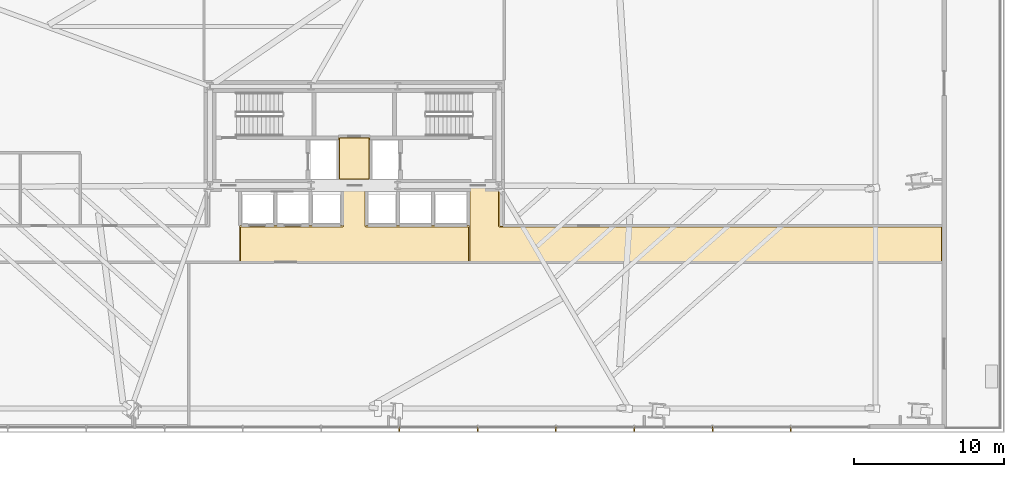
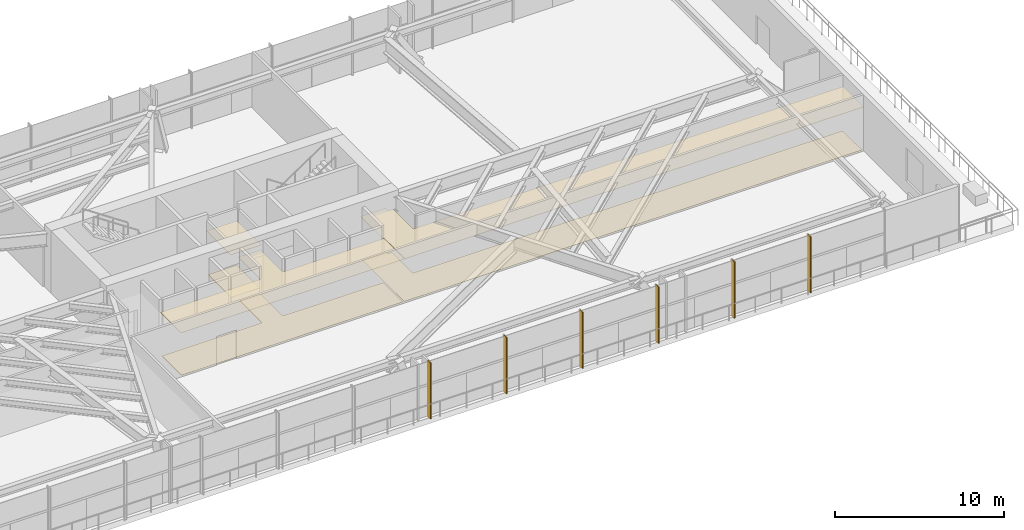
# One storey, part 29 of 33: 6 coverings, 6 shading devices.
"""IFC4 building model written with IfcOpenShell, lengths in metres."""

import ifcopenshell
import ifcopenshell.guid

model = None  # the IFC model being written
_history = None  # IfcOwnerHistory: only IFC2X3 demands one
_inside = {}  # id of a spatial element -> (the spatial element, [elements in it])
_under = {}  # id of a project, library or spatial element -> (it, [spatial elements below it])
_declared = {}  # id of a project -> (the project, [libraries it declares])
_typed = {}  # id of a type object -> (the type object, [elements of that type])
_made_of = {}  # id of a material, layer set ... -> (it, [elements and type objects made of it])


def new_model(schema):
    """Start an empty IFC model of exactly this schema.

    Asked for "IFC4X3", IfcOpenShell would pick the latest addendum, in which some entities
    have other attributes; the version numbers below select the first issue.
    IFC2X3 requires an IfcOwnerHistory on every rooted entity: one is made here for all.
    """
    global model, _history
    if schema == "IFC4X3":
        model = ifcopenshell.file(schema_version=(4, 3, 0, 0))
    else:
        model = ifcopenshell.file(schema=schema)
    _inside.clear()
    _under.clear()
    _declared.clear()
    _typed.clear()
    _made_of.clear()
    _history = None
    if model.schema == "IFC2X3":
        org = make("IfcOrganization", Name="unknown")
        user = make(
            "IfcPersonAndOrganization",
            ThePerson=make("IfcPerson", FamilyName="unknown"),
            TheOrganization=org,
        )
        app = make(
            "IfcApplication",
            ApplicationDeveloper=org,
            Version="unknown",
            ApplicationFullName="unknown",
            ApplicationIdentifier="unknown",
        )
        _history = make(
            "IfcOwnerHistory",
            OwningUser=user,
            OwningApplication=app,
            ChangeAction="ADDED",
            CreationDate=0,
        )
    return model


def make(cls, **values):
    """One entity of the class cls with the attributes given. An attribute that is None is left unset."""
    return model.create_entity(
        cls, **{name: value for name, value in values.items() if value is not None}
    )


def rooted(cls, **values):
    """An entity with a GlobalId (a new one), such as an element, a storey or a relation."""
    return make(cls, GlobalId=ifcopenshell.guid.new(), OwnerHistory=_history, **values)


def si_unit(unit_type, name, prefix=None):
    """IfcSIUnit, for example si_unit("LENGTHUNIT", "METRE", prefix="MILLI")."""
    return make("IfcSIUnit", UnitType=unit_type, Prefix=prefix, Name=name)


def assignment(units):
    """IfcUnitAssignment: the units of a project."""
    return None if units is None else make("IfcUnitAssignment", Units=units)


def point(xyz):
    """IfcCartesianPoint."""
    return None if xyz is None else make("IfcCartesianPoint", Coordinates=xyz)


def direction(xyz):
    """IfcDirection."""
    return None if xyz is None else make("IfcDirection", DirectionRatios=xyz)


def frame(location, z_axis=None, x_axis=None):
    """IfcAxis2Placement3D, a coordinate frame: its origin and axes. An axis left out is left unset."""
    return make(
        "IfcAxis2Placement3D",
        Location=point(location),
        Axis=direction(z_axis),
        RefDirection=direction(x_axis),
    )


def frame_2d(location, x_axis=None):
    """IfcAxis2Placement2D, a coordinate frame in the plane: its origin and x axis."""
    return make(
        "IfcAxis2Placement2D", Location=point(location), RefDirection=direction(x_axis)
    )


def origin():
    """The frame at (0, 0, 0) with its axes left unset."""
    return frame((0.0, 0.0, 0.0))


def origin_2d():
    """The frame at (0, 0) in the plane with its x axis left unset."""
    return frame_2d((0.0, 0.0))


def place(relative_to, where):
    """IfcLocalPlacement: puts the frame where relative to a parent placement (None: the world)."""
    return make(
        "IfcLocalPlacement", PlacementRelTo=relative_to, RelativePlacement=where
    )


def context(
    kind, dimensions, precision=None, world=None, true_north=None, identifier=None
):
    """IfcGeometricRepresentationContext, for example the 3D "Model" context."""
    return make(
        "IfcGeometricRepresentationContext",
        ContextIdentifier=identifier,
        ContextType=kind,
        CoordinateSpaceDimension=dimensions,
        Precision=precision,
        WorldCoordinateSystem=world,
        TrueNorth=true_north,
    )


def subcontext(parent, identifier, kind, view, scale=None):
    """IfcGeometricRepresentationSubContext, for example "Body" below "Model"."""
    return make(
        "IfcGeometricRepresentationSubContext",
        ContextIdentifier=identifier,
        ContextType=kind,
        ParentContext=parent,
        TargetScale=scale,
        TargetView=view,
    )


def project(units=None, contexts=None):
    """IfcProject with its units and contexts."""
    return rooted(
        "IfcProject",
        Name="project",
        RepresentationContexts=contexts,
        UnitsInContext=assignment(units),
    )


def spatial(cls, under=None, at=None, **own):
    """A site, building, storey or space (cls), placed at a placement, below another one or the project."""
    s = rooted(cls, ObjectPlacement=at, **own)
    if under is not None:
        _under.setdefault(under.id(), (under, []))[1].append(s)
    return s


def polyline(points):
    """IfcPolyline through the points."""
    return make("IfcPolyline", Points=[point(p) for p in points])


def profile(cls, at=None, kind="AREA", **sizes):
    """A parametric profile (cls). Its sizes go by their IFC names, for example OverallWidth=200.0."""
    return make(cls, ProfileType=kind, Position=at, **sizes)


def rectangle(**sizes):
    """IfcRectangleProfileDef."""
    return profile("IfcRectangleProfileDef", **sizes)


def outline(outer, holes=None, kind="AREA"):
    """IfcArbitraryClosedProfileDef: a profile drawn as a closed curve; with holes, ...WithVoids."""
    if holes is None:
        return make("IfcArbitraryClosedProfileDef", ProfileType=kind, OuterCurve=outer)
    return make(
        "IfcArbitraryProfileDefWithVoids",
        ProfileType=kind,
        OuterCurve=outer,
        InnerCurves=holes,
    )


def extrude(swept, where, along, depth):
    """IfcExtrudedAreaSolid: the profile swept, set in the frame where, extruded along a direction by depth."""
    return make(
        "IfcExtrudedAreaSolid",
        SweptArea=swept,
        Position=where,
        ExtrudedDirection=direction(along),
        Depth=depth,
    )


def shape(context_of_items, identifier, shape_type, items):
    """IfcShapeRepresentation: the items that make up one representation, for example the "Body"."""
    return make(
        "IfcShapeRepresentation",
        ContextOfItems=context_of_items,
        RepresentationIdentifier=identifier,
        RepresentationType=shape_type,
        Items=items,
    )


def source(mapping_origin, context_of_items, identifier, shape_type, items):
    """IfcRepresentationMap: a shape defined once, which mapped items show again and again."""
    return make(
        "IfcRepresentationMap",
        MappingOrigin=mapping_origin,
        MappedRepresentation=shape(context_of_items, identifier, shape_type, items),
    )


def transform(
    local_origin,
    x_axis=None,
    y_axis=None,
    z_axis=None,
    scale=None,
    scale2=None,
    scale3=None,
    uniform=True,
):
    """IfcCartesianTransformationOperator3D, or its non-uniform kind. x_axis, y_axis, z_axis: its Axis1, 2, 3."""
    if uniform:
        return make(
            "IfcCartesianTransformationOperator3D",
            Axis1=direction(x_axis),
            Axis2=direction(y_axis),
            LocalOrigin=point(local_origin),
            Scale=scale,
            Axis3=direction(z_axis),
        )
    return make(
        "IfcCartesianTransformationOperator3DnonUniform",
        Axis1=direction(x_axis),
        Axis2=direction(y_axis),
        LocalOrigin=point(local_origin),
        Scale=scale,
        Axis3=direction(z_axis),
        Scale2=scale2,
        Scale3=scale3,
    )


def mapped(mapping_source, mapping_target):
    """IfcMappedItem: shows the shape of a source again, moved by a transform."""
    return make(
        "IfcMappedItem", MappingSource=mapping_source, MappingTarget=mapping_target
    )


def material(Name=None, Category=None):
    """IfcMaterial."""
    return make("IfcMaterial", Name=Name, Category=Category)


def layer(
    of_material, thickness, ventilated=None, Name=None, Category=None, Priority=None
):
    """IfcMaterialLayer: one layer of a wall or slab, of a material (None: an air gap)."""
    return make(
        "IfcMaterialLayer",
        Material=of_material,
        LayerThickness=thickness,
        IsVentilated=ventilated,
        Name=Name,
        Category=Category,
        Priority=Priority,
    )


def layer_set(layers, Name=None):
    """IfcMaterialLayerSet."""
    return make("IfcMaterialLayerSet", MaterialLayers=layers, LayerSetName=Name)


def made_of(thing, what):
    """Note that an element or type object is made of a material, layer set ...; save() writes the relation."""
    if what is not None:
        _made_of.setdefault(what.id(), (what, []))[1].append(thing)
    return thing


def type_object(cls, material=None, **own):
    """A type object (cls), such as IfcWallType, which elements share."""
    return made_of(rooted(cls, **own), material)


def type_shapes(of_type, sources):
    """Give a type object the sources (RepresentationMaps) that its elements show as mapped items."""
    of_type.RepresentationMaps = sources


def element(
    cls,
    number,
    at=None,
    inside=None,
    cuts=None,
    type_object=None,
    material=None,
    context=None,
    identifier="Body",
    shape_type=None,
    held_by="IfcProductDefinitionShape",
    body=None,
    shapes=None,
    **own,
):
    """One element of the class cls, such as IfcWall. Its Tag is "e" and its number.

    at: its placement. inside: the storey or other place that contains it. cuts: it is an
    opening in that element (IfcRelVoidsElement). A single representation is given by context,
    identifier, shape_type and body (its items); several are given by shapes. held_by: the class
    of the entity that holds the representations. save() writes the other relations.
    """
    e = rooted(cls, Tag="e%d" % number, ObjectPlacement=at, **own)
    if body is not None:
        shapes = [shape(context, identifier, shape_type, body)]
    if shapes is not None:
        e.Representation = make(held_by, Representations=shapes)
    if inside is not None:
        _inside.setdefault(inside.id(), (inside, []))[1].append(e)
    if cuts is not None:
        rooted(
            "IfcRelVoidsElement", RelatingBuildingElement=cuts, RelatedOpeningElement=e
        )
    if type_object is not None:
        _typed.setdefault(type_object.id(), (type_object, []))[1].append(e)
    return made_of(e, material)


def aggregate(whole, parts):
    """IfcRelAggregates: a whole, such as a stair, and the parts it consists of."""
    return rooted("IfcRelAggregates", RelatingObject=whole, RelatedObjects=parts)


def save(model, path):
    """Write the relations noted so far, then the file.

    IfcRelAggregates (storeys below a building ...), IfcRelContainedInSpatialStructure (elements
    in a storey), IfcRelDefinesByType, IfcRelAssociatesMaterial and IfcRelDeclares: one each for
    every whole, place, type object, material and project.
    """
    for whole, parts in _under.values():
        aggregate(whole, parts)
    for where, things in _inside.values():
        rooted(
            "IfcRelContainedInSpatialStructure",
            RelatedElements=things,
            RelatingStructure=where,
        )
    for kind, things in _typed.values():
        rooted("IfcRelDefinesByType", RelatedObjects=things, RelatingType=kind)
    for what, things in _made_of.values():
        rooted("IfcRelAssociatesMaterial", RelatedObjects=things, RelatingMaterial=what)
    for by, libraries in _declared.values():
        rooted("IfcRelDeclares", RelatingContext=by, RelatedDefinitions=libraries)
    model.write(path)


model = new_model("IFC4")

# Units and contexts
model_context = context("Model", 3, precision=1e-05, world=origin(), true_north=direction((0.0, 1.0)))
body_context = subcontext(model_context, "Body", "Model", "MODEL_VIEW")
ifc_project = project(units=[si_unit("LENGTHUNIT", "METRE"), si_unit("AREAUNIT", "SQUARE_METRE"), si_unit("VOLUMEUNIT", "CUBIC_METRE"), si_unit("PLANEANGLEUNIT", "RADIAN"), si_unit("MASSUNIT", "GRAM", prefix="KILO")], contexts=[model_context])

# Site, building, storey
site_placement = place(None, origin())
site = spatial("IfcSite", under=ifc_project, at=site_placement, CompositionType="ELEMENT")
building_placement = place(site_placement, origin())
building = spatial("IfcBuilding", under=site, at=building_placement, Name="Astriad Promenade Condominiums", CompositionType="ELEMENT")
storey_placement = place(building_placement, frame((0.0, 0.0, 9.5)))
storey = spatial("IfcBuildingStorey", under=building, at=storey_placement, Name="L02", CompositionType="ELEMENT", Elevation=9.5)

# Coverings
ifc_material_1 = material(Name="Mineral-Fibre Acoustic Ceiling Tile")
ifc_layer_1 = layer(ifc_material_1, 0.02490234375)
ifc_layer_set_1 = layer_set([ifc_layer_1], Name="Mineral-Fibre Acoustic Ceiling Tile")
covering_type_1 = type_object("IfcCoveringType", Name="COV-CEIL-ACOUSTIC-25", PredefinedType="CEILING", material=ifc_layer_set_1)
covering_1_placement = place(storey_placement, frame((0.0, 0.0, 3.135009765625)))
element("IfcCovering", 1, at=covering_1_placement, inside=storey, type_object=covering_type_1, Name="CEIL-L02-CSL", PredefinedType="CEILING", context=body_context, shape_type="SweptSolid", body=[
    extrude(outline(polyline([(34.97998046875, 17.77001953125), (34.97705078125, 17.77001953125), (34.97412109375, 17.7705078125), (34.97119140625, 17.771240234375), (34.968505859375, 17.772216796875), (34.9658203125, 17.7734375), (34.96337890625, 17.775146484375), (34.9609375, 17.77685546875), (34.958740234375, 17.77880859375), (34.956787109375, 17.781005859375), (34.955078125, 17.783203125), (34.95361328125, 17.785888671875), (34.952392578125, 17.78857421875), (34.951416015625, 17.791259765625), (34.95068359375, 17.794189453125), (34.9501953125, 17.797119140625), (34.949951171875, 17.800048828125), (34.949951171875, 20.6201171875), (34.9501953125, 20.622802734375), (34.95068359375, 20.6259765625), (34.951416015625, 20.628662109375), (34.952392578125, 20.631591796875), (34.95361328125, 20.634033203125), (34.955078125, 20.63671875), (34.956787109375, 20.638916015625), (34.958740234375, 20.64111328125), (34.9609375, 20.643310546875), (34.96337890625, 20.64501953125), (34.9658203125, 20.646484375), (34.968505859375, 20.647705078125), (34.97119140625, 20.648681640625), (34.97412109375, 20.6494140625), (34.97705078125, 20.64990234375), (34.97998046875, 20.64990234375), (37.02001953125, 20.64990234375), (37.02294921875, 20.64990234375), (37.02587890625, 20.6494140625), (37.02880859375, 20.648681640625), (37.031494140625, 20.647705078125), (37.0341796875, 20.646484375), (37.03662109375, 20.64501953125), (37.0390625, 20.643310546875), (37.041259765625, 20.64111328125), (37.043212890625, 20.638916015625), (37.044921875, 20.63671875), (37.04638671875, 20.634033203125), (37.047607421875, 20.631591796875), (37.048583984375, 20.628662109375), (37.04931640625, 20.6259765625), (37.0498046875, 20.622802734375), (37.050048828125, 20.6201171875), (37.050048828125, 17.800048828125), (37.0498046875, 17.797119140625), (37.04931640625, 17.794189453125), (37.048583984375, 17.791259765625), (37.047607421875, 17.78857421875), (37.04638671875, 17.785888671875), (37.044921875, 17.783203125), (37.043212890625, 17.781005859375), (37.041259765625, 17.77880859375), (37.0390625, 17.77685546875), (37.03662109375, 17.775146484375), (37.0341796875, 17.7734375), (37.031494140625, 17.772216796875), (37.02880859375, 17.771240234375), (37.02587890625, 17.7705078125), (37.02294921875, 17.77001953125), (37.02001953125, 17.77001953125), (34.97998046875, 17.77001953125)])), origin(), (0.0, 0.0, 1.0), 0.02490234375),
])
covering_2_placement = place(storey_placement, frame((0.0, 0.0, 3.135009765625)))
element("IfcCovering", 2, at=covering_2_placement, inside=storey, type_object=covering_type_1, Name="CEIL-L02-LLB", PredefinedType="CEILING", context=body_context, shape_type="SweptSolid", body=[
    extrude(outline(polyline([(43.679931640625, 12.300048828125), (43.679931640625, 12.297119140625), (43.679443359375, 12.294189453125), (43.6787109375, 12.291259765625), (43.677734375, 12.28857421875), (43.676513671875, 12.285888671875), (43.6748046875, 12.283203125), (43.673095703125, 12.281005859375), (43.671142578125, 12.27880859375), (43.6689453125, 12.27685546875), (43.666748046875, 12.275146484375), (43.6640625, 12.2734375), (43.66162109375, 12.272216796875), (43.65869140625, 12.271240234375), (43.656005859375, 12.2705078125), (43.65283203125, 12.27001953125), (43.64990234375, 12.27001953125), (28.39990234375, 12.27001953125), (28.397216796875, 12.27001953125), (28.39404296875, 12.2705078125), (28.391357421875, 12.271240234375), (28.388427734375, 12.272216796875), (28.385986328125, 12.2734375), (28.38330078125, 12.275146484375), (28.381103515625, 12.27685546875), (28.37890625, 12.27880859375), (28.376708984375, 12.281005859375), (28.375, 12.283203125), (28.37353515625, 12.285888671875), (28.372314453125, 12.28857421875), (28.371337890625, 12.291259765625), (28.37060546875, 12.294189453125), (28.3701171875, 12.297119140625), (28.3701171875, 12.300048828125), (28.3701171875, 14.699951171875), (28.3701171875, 14.702880859375), (28.37060546875, 14.705810546875), (28.371337890625, 14.708740234375), (28.372314453125, 14.71142578125), (28.37353515625, 14.714111328125), (28.375, 14.716796875), (28.376708984375, 14.718994140625), (28.37890625, 14.72119140625), (28.381103515625, 14.72314453125), (28.38330078125, 14.724853515625), (28.385986328125, 14.7265625), (28.388427734375, 14.727783203125), (28.391357421875, 14.728759765625), (28.39404296875, 14.7294921875), (28.397216796875, 14.72998046875), (28.39990234375, 14.72998046875), (35.219970703125, 14.72998046875), (35.219970703125, 17.35009765625), (35.22021484375, 17.352783203125), (35.220703125, 17.35595703125), (35.22119140625, 17.358642578125), (35.222412109375, 17.361572265625), (35.223388671875, 17.364013671875), (35.22509765625, 17.36669921875), (35.226806640625, 17.368896484375), (35.228759765625, 17.37109375), (35.23095703125, 17.373291015625), (35.2333984375, 17.375), (35.23583984375, 17.37646484375), (35.238525390625, 17.377685546875), (35.2412109375, 17.378662109375), (35.244140625, 17.37939453125), (35.2470703125, 17.3798828125), (35.25, 17.3798828125), (36.75, 17.3798828125), (36.7529296875, 17.3798828125), (36.755859375, 17.37939453125), (36.7587890625, 17.378662109375), (36.761474609375, 17.377685546875), (36.76416015625, 17.37646484375), (36.7666015625, 17.375), (36.76904296875, 17.373291015625), (36.771240234375, 17.37109375), (36.773193359375, 17.368896484375), (36.77490234375, 17.36669921875), (36.776611328125, 17.364013671875), (36.777587890625, 17.361572265625), (36.77880859375, 17.358642578125), (36.779296875, 17.35595703125), (36.77978515625, 17.352783203125), (36.780029296875, 17.35009765625), (36.780029296875, 14.72998046875), (43.64990234375, 14.72998046875), (43.65283203125, 14.72998046875), (43.656005859375, 14.7294921875), (43.65869140625, 14.728759765625), (43.66162109375, 14.727783203125), (43.6640625, 14.7265625), (43.666748046875, 14.724853515625), (43.6689453125, 14.72314453125), (43.671142578125, 14.72119140625), (43.673095703125, 14.718994140625), (43.6748046875, 14.716796875), (43.676513671875, 14.714111328125), (43.677734375, 14.71142578125), (43.6787109375, 14.708740234375), (43.679443359375, 14.705810546875), (43.679931640625, 14.702880859375), (43.679931640625, 14.699951171875), (43.679931640625, 12.300048828125)])), origin(), (0.0, 0.0, 1.0), 0.02490234375),
])
covering_3_placement = place(storey_placement, frame((0.0, 0.0, 3.135009765625)))
element("IfcCovering", 3, at=covering_3_placement, inside=storey, type_object=covering_type_1, Name="CEIL-L02-COR-1", PredefinedType="CEILING", context=body_context, shape_type="SweptSolid", body=[
    extrude(outline(polyline([(43.6201171875, 17.35009765625), (43.6201171875, 17.352783203125), (43.62060546875, 17.35595703125), (43.621337890625, 17.358642578125), (43.622314453125, 17.361572265625), (43.62353515625, 17.364013671875), (43.625, 17.36669921875), (43.626708984375, 17.368896484375), (43.62890625, 17.37109375), (43.631103515625, 17.373291015625), (43.63330078125, 17.375), (43.635986328125, 17.37646484375), (43.638427734375, 17.377685546875), (43.641357421875, 17.378662109375), (43.64404296875, 17.37939453125), (43.647216796875, 17.3798828125), (43.64990234375, 17.3798828125), (45.31640625, 17.3798828125), (45.31640625, 17.077880859375), (45.679931640625, 17.077880859375), (45.679931640625, 14.7099609375), (75.10009765625, 14.7099609375), (75.102783203125, 14.7099609375), (75.10595703125, 14.70947265625), (75.108642578125, 14.708740234375), (75.111572265625, 14.707763671875), (75.114013671875, 14.70654296875), (75.11669921875, 14.704833984375), (75.118896484375, 14.703125), (75.12109375, 14.701171875), (75.123291015625, 14.698974609375), (75.125, 14.69677734375), (75.12646484375, 14.694091796875), (75.127685546875, 14.69140625), (75.128662109375, 14.688720703125), (75.12939453125, 14.685791015625), (75.1298828125, 14.682861328125), (75.1298828125, 14.679931640625), (75.1298828125, 12.300048828125), (75.1298828125, 12.297119140625), (75.12939453125, 12.294189453125), (75.128662109375, 12.291259765625), (75.127685546875, 12.28857421875), (75.12646484375, 12.285888671875), (75.125, 12.283203125), (75.123291015625, 12.281005859375), (75.12109375, 12.27880859375), (75.118896484375, 12.27685546875), (75.11669921875, 12.275146484375), (75.114013671875, 12.2734375), (75.111572265625, 12.272216796875), (75.108642578125, 12.271240234375), (75.10595703125, 12.2705078125), (75.102783203125, 12.27001953125), (75.10009765625, 12.27001953125), (43.68994140625, 12.27001953125), (43.69091796875, 12.271484375), (43.692138671875, 12.273193359375), (43.693603515625, 12.275634765625), (43.694580078125, 12.27734375), (43.69580078125, 12.280029296875), (43.696533203125, 12.28173828125), (43.697509765625, 12.28466796875), (43.697998046875, 12.286376953125), (43.69873046875, 12.289306640625), (43.69921875, 12.291259765625), (43.69970703125, 12.294189453125), (43.69970703125, 12.296142578125), (43.699951171875, 12.299072265625), (43.699951171875, 12.300048828125), (43.699951171875, 14.699951171875), (43.699951171875, 14.700927734375), (43.69970703125, 14.703857421875), (43.69970703125, 14.705810546875), (43.69921875, 14.708740234375), (43.69873046875, 14.710693359375), (43.697998046875, 14.713623046875), (43.697509765625, 14.71533203125), (43.696533203125, 14.71826171875), (43.69580078125, 14.719970703125), (43.694580078125, 14.72265625), (43.693603515625, 14.724365234375), (43.692138671875, 14.726806640625), (43.69091796875, 14.728515625), (43.689208984375, 14.73095703125), (43.68798828125, 14.732421875), (43.68603515625, 14.734619140625), (43.6845703125, 14.736083984375), (43.6826171875, 14.738037109375), (43.680908203125, 14.7392578125), (43.6787109375, 14.740966796875), (43.677001953125, 14.7421875), (43.67431640625, 14.74365234375), (43.672607421875, 14.744384765625), (43.669921875, 14.745849609375), (43.668212890625, 14.74658203125), (43.665283203125, 14.74755859375), (43.66357421875, 14.748046875), (43.66064453125, 14.748779296875), (43.65869140625, 14.749267578125), (43.656005859375, 14.74951171875), (43.65380859375, 14.749755859375), (43.65087890625, 14.75), (43.64990234375, 14.75), (43.6201171875, 14.75), (43.6201171875, 17.35009765625)])), origin(), (0.0, 0.0, 1.0), 0.02490234375),
])
ifc_material_2 = material(Name="Polished Lakefront Terrazzo Flooring")
ifc_layer_2 = layer(ifc_material_2, 0.02001953125)
ifc_layer_set_2 = layer_set([ifc_layer_2], Name="Polished Lakefront Terrazzo Flooring")
covering_type_2 = type_object("IfcCoveringType", Name="COV-FLOR-TERRAZZO-20", PredefinedType="FLOORING", material=ifc_layer_set_2)
covering_4_placement = place(storey_placement, origin())
element("IfcCovering", 4, at=covering_4_placement, inside=storey, type_object=covering_type_2, Name="FLR-L02-CSL", PredefinedType="FLOORING", context=body_context, shape_type="SweptSolid", body=[
    extrude(outline(polyline([(36.97998046875, 17.840087890625), (35.02001953125, 17.840087890625), (35.02001953125, 20.580078125), (36.97998046875, 20.580078125), (36.97998046875, 17.840087890625)])), origin(), (0.0, 0.0, 1.0), 0.02001953125),
])
covering_5_placement = place(storey_placement, origin())
element("IfcCovering", 5, at=covering_5_placement, inside=storey, type_object=covering_type_2, Name="FLR-L02-LLB", PredefinedType="FLOORING", context=body_context, shape_type="SweptSolid", body=[
    extrude(outline(polyline([(43.610107421875, 14.659912109375), (43.610107421875, 12.340087890625), (28.43994140625, 12.340087890625), (28.43994140625, 14.659912109375), (35.25, 14.659912109375), (35.25390625, 14.66015625), (35.2578125, 14.660888671875), (35.26171875, 14.66162109375), (35.265380859375, 14.6630859375), (35.268798828125, 14.664794921875), (35.272216796875, 14.666748046875), (35.275390625, 14.669189453125), (35.2783203125, 14.671630859375), (35.281005859375, 14.674560546875), (35.283203125, 14.677734375), (35.285400390625, 14.68115234375), (35.287109375, 14.684814453125), (35.288330078125, 14.6884765625), (35.289306640625, 14.692138671875), (35.289794921875, 14.696044921875), (35.2900390625, 14.699951171875), (35.2900390625, 17.31005859375), (36.7099609375, 17.31005859375), (36.7099609375, 14.699951171875), (36.710205078125, 14.696044921875), (36.710693359375, 14.692138671875), (36.711669921875, 14.6884765625), (36.712890625, 14.684814453125), (36.714599609375, 14.68115234375), (36.716796875, 14.677734375), (36.718994140625, 14.674560546875), (36.7216796875, 14.671630859375), (36.724609375, 14.669189453125), (36.727783203125, 14.666748046875), (36.731201171875, 14.664794921875), (36.734619140625, 14.6630859375), (36.73828125, 14.66162109375), (36.7421875, 14.660888671875), (36.74609375, 14.66015625), (36.75, 14.659912109375), (43.610107421875, 14.659912109375)])), origin(), (0.0, 0.0, 1.0), 0.02001953125),
])
covering_6_placement = place(storey_placement, origin())
element("IfcCovering", 6, at=covering_6_placement, inside=storey, type_object=covering_type_2, Name="FLR-L02-COR-1", PredefinedType="FLOORING", context=body_context, shape_type="SweptSolid", body=[
    extrude(outline(polyline([(43.68994140625, 12.340087890625), (43.68994140625, 17.31005859375), (45.3564453125, 17.31005859375), (45.3564453125, 17.117919921875), (45.610107421875, 17.117919921875), (45.610107421875, 14.679931640625), (45.610107421875, 14.676025390625), (45.61083984375, 14.672119140625), (45.61181640625, 14.66845703125), (45.613037109375, 14.664794921875), (45.61474609375, 14.6611328125), (45.61669921875, 14.65771484375), (45.619140625, 14.654541015625), (45.62158203125, 14.651611328125), (45.62451171875, 14.649169921875), (45.627685546875, 14.646728515625), (45.631103515625, 14.644775390625), (45.634765625, 14.64306640625), (45.638427734375, 14.6416015625), (45.64208984375, 14.640869140625), (45.64599609375, 14.64013671875), (45.64990234375, 14.639892578125), (75.06005859375, 14.639892578125), (75.06005859375, 12.340087890625), (43.68994140625, 12.340087890625)])), origin(), (0.0, 0.0, 1.0), 0.02001953125),
])

# Shading devices
ifc_material_3 = material(Name="Anodised aluminium 6063-T6 Black Fin", Category="aluminium")
shading_device_type = type_object("IfcShadingDeviceType", Name="FIN-BLACK-320", PredefinedType="USERDEFINED", material=ifc_material_3)
shared_shape = source(origin(), body_context, "Body", "SweptSolid", [
    extrude(rectangle(XDim=0.06494140625, YDim=0.320068359375, at=origin_2d()), origin(), (0.0, 0.0, 1.0), 4.080078125),
])
type_shapes(shading_device_type, [shared_shape])
for number, where, z_axis, x_axis, name in (
    (7, (65.041748046875, 1.2099609375, 0.0), (0.0, 0.0, 1.0), (-1.0, 0.0, 0.0), "CW-L02-S-FIN-01"),
    (8, (59.833251953125, 1.2099609375, 0.0), (0.0, 0.0, 1.0), (-1.0, 0.0, 0.0), "CW-L02-S-FIN-02"),
    (9, (54.625, 1.2099609375, 0.0), (0.0, 0.0, 1.0), (-1.0, 0.0, 0.0), "CW-L02-S-FIN-03"),
    (10, (49.416748046875, 1.2099609375, 0.0), (0.0, 0.0, 1.0), (-1.0, 0.0, 0.0), "CW-L02-S-FIN-04"),
    (11, (44.208251953125, 1.2099609375, 0.0), (0.0, 0.0, 1.0), (-1.0, 0.0, 0.0), "CW-L02-S-FIN-05"),
    (12, (39.0, 1.2099609375, 0.0), (0.0, 0.0, 1.0), (-1.0, 0.0, 0.0), "CW-L02-S-FIN-06"),
):
    element("IfcShadingDevice", number, at=place(storey_placement, frame(where, z_axis=z_axis, x_axis=x_axis)), inside=storey, type_object=shading_device_type, Name=name, ObjectType="FIN", PredefinedType="USERDEFINED", context=body_context, shape_type="MappedRepresentation", body=[
        mapped(shared_shape, transform((0.0, 0.0, 0.0), scale=1.0)),
    ])

save(model, "model.ifc")
